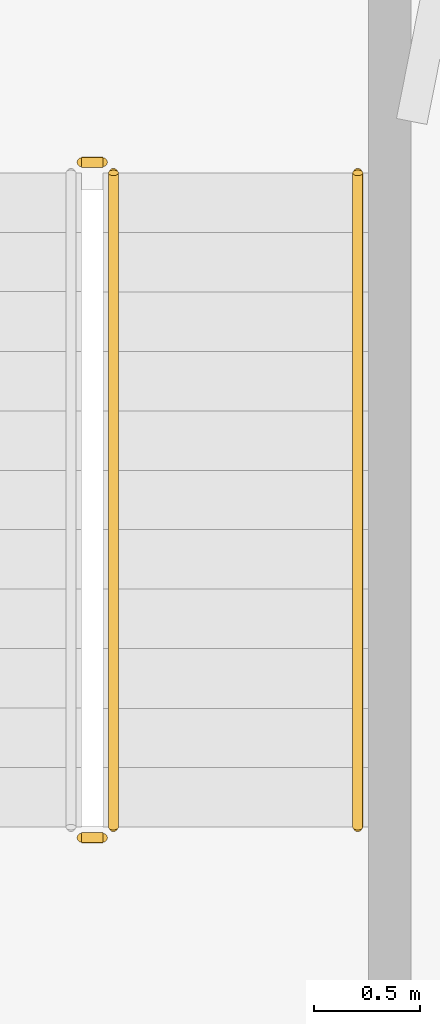
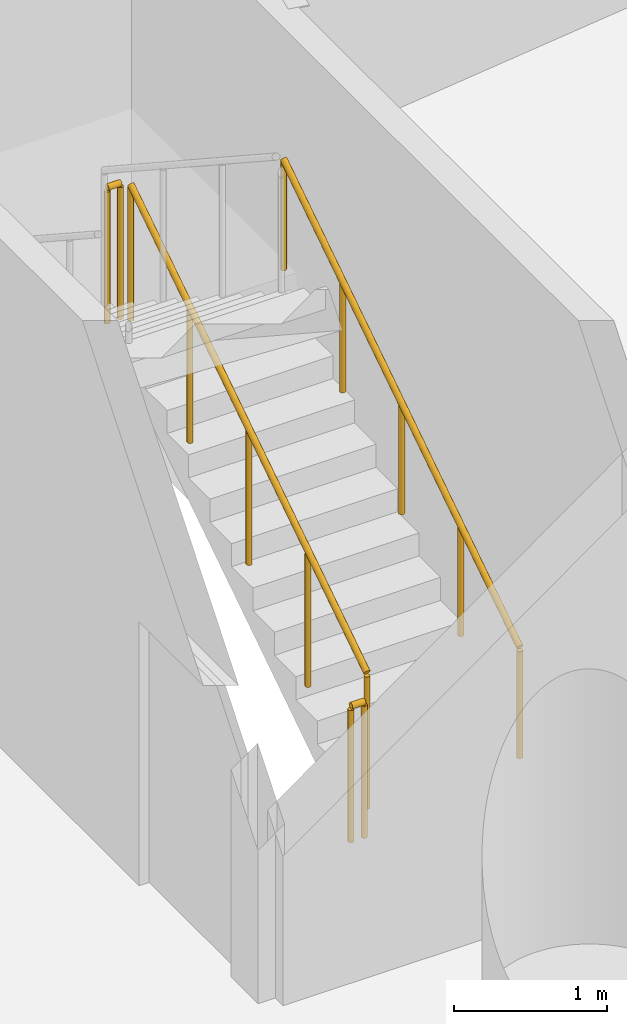
# One storey, part 18 of 19: 4 railings.
"""IFC4 building model written with IfcOpenShell, lengths in metres."""

from ifc_helpers import new_model, si_unit, direction, frame, origin, origin_2d, place, context, subcontext, project, spatial, circle, extrude, material, type_object, element, save


model = new_model("IFC4")

# Units and contexts
model_context = context("Model", 3, precision=1e-05, world=origin(), true_north=direction((0.0, 1.0)))
body_context = subcontext(model_context, "Body", "Model", "MODEL_VIEW")
ifc_project = project(units=[si_unit("LENGTHUNIT", "METRE"), si_unit("AREAUNIT", "SQUARE_METRE"), si_unit("VOLUMEUNIT", "CUBIC_METRE"), si_unit("PLANEANGLEUNIT", "RADIAN"), si_unit("MASSUNIT", "GRAM", prefix="KILO")], contexts=[model_context])

# Site, building, storey
site_placement = place(None, origin())
site = spatial("IfcSite", under=ifc_project, at=site_placement, CompositionType="ELEMENT")
building_placement = place(site_placement, origin())
building = spatial("IfcBuilding", under=site, at=building_placement, Name="Spindrift Exchange Tower", CompositionType="ELEMENT")
storey_placement = place(building_placement, frame((0.0, 0.0, 13.800048828125)))
storey = spatial("IfcBuildingStorey", under=building, at=storey_placement, Name="L03", CompositionType="ELEMENT", Elevation=13.800048828125)

# Railings
ifc_material_1 = material(Name="Steel balustrade", Category="steel")
railing_type_1 = type_object("IfcRailingType", Name="RL-STAIR-GUARD", PredefinedType="GUARDRAIL", material=ifc_material_1)
railing_1_placement = place(storey_placement, frame((85.89990234375, 45.949951171875, 0.183349609375)))
element("IfcRailing", 1, at=railing_1_placement, inside=storey, type_object=railing_type_1, Name="L03 ST5 stair guard 1", PredefinedType="GUARDRAIL", context=body_context, shape_type="SweptSolid", body=[
    extrude(circle(Radius=0.02392578125, at=origin_2d()), frame((0.0, 0.0, 1.076171875), z_axis=(0.0, 0.836633000464, 0.547763838287), x_axis=(-1.0, 0.0, 0.0)), (0.0, 0.0, 1.0), 3.681396484375),
    extrude(circle(Radius=0.02099609375, at=origin_2d()), origin(), (0.0, 0.0, 1.0), 1.052001953125),
    extrude(circle(Radius=0.02099609375, at=origin_2d()), frame((0.0, 0.77001953125, 0.504150390625)), (0.0, 0.0, 1.0), 1.052001953125),
    extrude(circle(Radius=0.02099609375, at=origin_2d()), frame((0.0, 1.5400390625, 1.00830078125)), (0.0, 0.0, 1.0), 1.052001953125),
    extrude(circle(Radius=0.02099609375, at=origin_2d()), frame((0.0, 2.31005859375, 1.512451171875)), (0.0, 0.0, 1.0), 1.052001953125),
    extrude(circle(Radius=0.02099609375, at=origin_2d()), frame((0.0, 3.080078125, 2.0166015625)), (0.0, 0.0, 1.0), 1.052001953125),
])
for number, where, name in (
    (2, (85.85009765625, 49.080078125, 2.199951171875), "L03 ST5 stair guard 2"),
    (3, (85.85009765625, 45.89990234375, 0.0), "L03 ST5 stair guard 4"),
):
    element("IfcRailing", number, at=place(storey_placement, frame(where)), inside=storey, type_object=railing_type_1, Name=name, PredefinedType="GUARDRAIL", context=body_context, shape_type="SweptSolid", body=[
        extrude(circle(Radius=0.02392578125, at=origin_2d()), frame((0.0, 0.0, 1.076171875), z_axis=(-1.0, 0.0, 0.0), x_axis=(0.0, -1.0, 0.0)), (0.0, 0.0, 1.0), 0.10009765625),
        extrude(circle(Radius=0.02099609375, at=origin_2d()), origin(), (0.0, 0.0, 1.0), 1.052001953125),
        extrude(circle(Radius=0.02099609375, at=origin_2d()), frame((-0.10009765625, 0.0, 0.0)), (0.0, 0.0, 1.0), 1.052001953125),
    ])
ifc_material_2 = material(Name="Steel tubular handrail", Category="steel")
railing_type_2 = type_object("IfcRailingType", Name="RL-STAIR-HAND", PredefinedType="HANDRAIL", material=ifc_material_2)
railing_2_placement = place(storey_placement, frame((87.050048828125, 45.949951171875, 0.183349609375)))
element("IfcRailing", 4, at=railing_2_placement, inside=storey, type_object=railing_type_2, Name="L03 ST5 stair handrail 1", PredefinedType="HANDRAIL", context=body_context, shape_type="SweptSolid", body=[
    extrude(circle(Radius=0.02392578125, at=origin_2d()), frame((0.0, 0.0, 0.8759765625), z_axis=(0.0, 0.836633000464, 0.547763838287), x_axis=(-1.0, 0.0, 0.0)), (0.0, 0.0, 1.0), 3.681396484375),
    extrude(circle(Radius=0.02099609375, at=origin_2d()), origin(), (0.0, 0.0, 1.0), 0.851806640625),
    extrude(circle(Radius=0.02099609375, at=origin_2d()), frame((0.0, 0.77001953125, 0.504150390625)), (0.0, 0.0, 1.0), 0.851806640625),
    extrude(circle(Radius=0.02099609375, at=origin_2d()), frame((0.0, 1.5400390625, 1.00830078125)), (0.0, 0.0, 1.0), 0.851806640625),
    extrude(circle(Radius=0.02099609375, at=origin_2d()), frame((0.0, 2.31005859375, 1.512451171875)), (0.0, 0.0, 1.0), 0.851806640625),
    extrude(circle(Radius=0.02099609375, at=origin_2d()), frame((0.0, 3.080078125, 2.0166015625)), (0.0, 0.0, 1.0), 0.851806640625),
])

save(model, "model.ifc")
